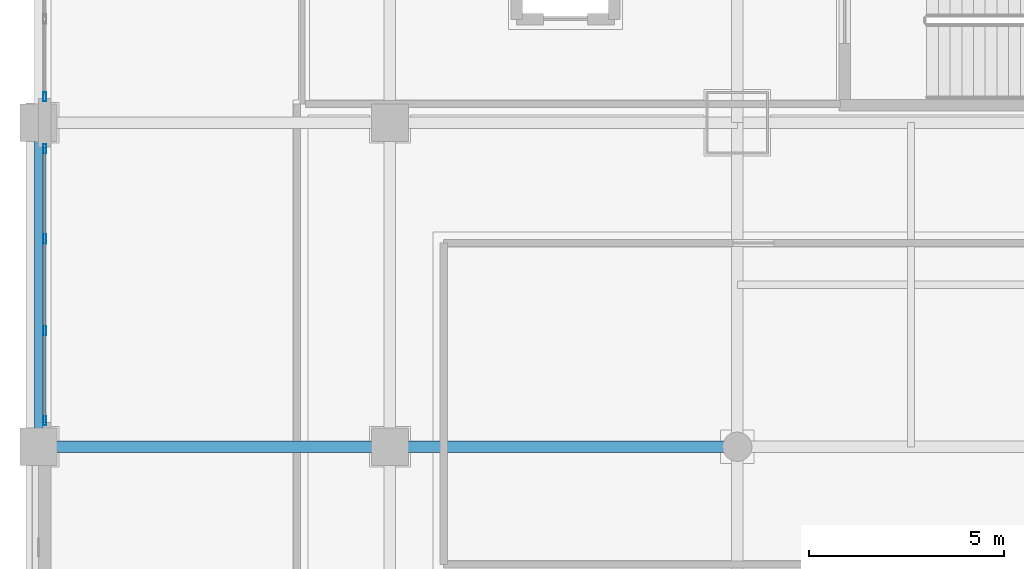
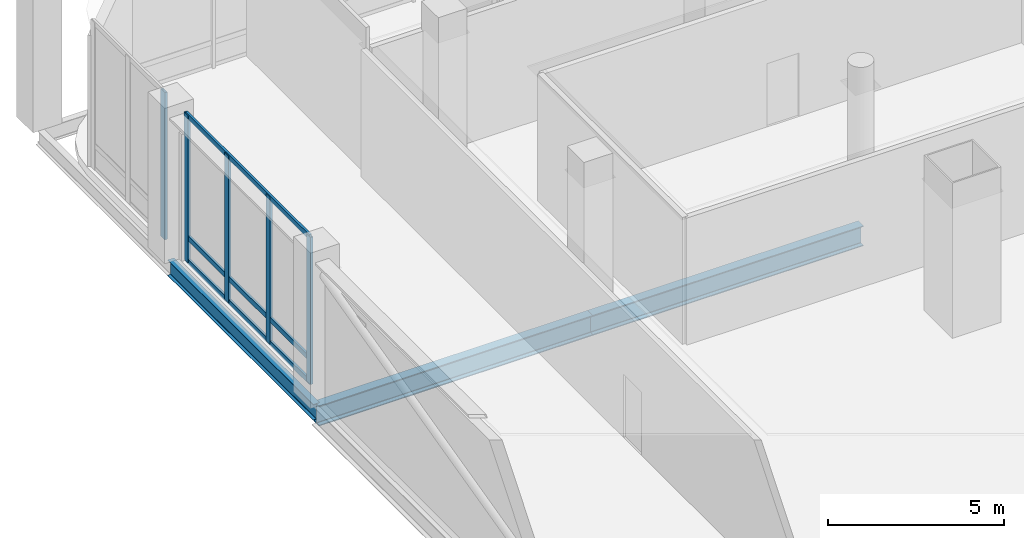
# One storey, part 12 of 43: 8 members, 3 beams, 2 elements without a shape of their own.
"""IFC4 building model written with IfcOpenShell, lengths in metres."""

from ifc_helpers import new_model, si_unit, direction, frame, origin, origin_2d, place, context, subcontext, project, spatial, hollow_rectangle, i_section, extrude, material, material_profile, profile_set, type_object, element, aggregate, save


model = new_model("IFC4")

# Units and contexts
model_context = context("Model", 3, precision=1e-05, world=origin(), true_north=direction((0.0, 1.0)))
body_context = subcontext(model_context, "Body", "Model", "MODEL_VIEW")
ifc_project = project(units=[si_unit("LENGTHUNIT", "METRE"), si_unit("AREAUNIT", "SQUARE_METRE"), si_unit("VOLUMEUNIT", "CUBIC_METRE"), si_unit("PLANEANGLEUNIT", "RADIAN"), si_unit("MASSUNIT", "GRAM", prefix="KILO")], contexts=[model_context])

# Site, building, storey
site_placement = place(None, origin())
site = spatial("IfcSite", under=ifc_project, at=site_placement, CompositionType="ELEMENT")
building_placement = place(site_placement, origin())
building = spatial("IfcBuilding", under=site, at=building_placement, Name="Punatoya Terracotta Tower", CompositionType="ELEMENT")
storey_placement = place(building_placement, frame((0.0, 0.0, 6.0)))
storey = spatial("IfcBuildingStorey", under=building, at=storey_placement, Name="L01", CompositionType="ELEMENT", Elevation=6.0)

# Beams
ifc_material_1 = material(Name="Steel S355", Category="steel")
ifc_material_profile_1 = material_profile(ifc_material_1, i_section(OverallWidth=0.300048828125, OverallDepth=0.699951171875, WebThickness=0.01708984375, FlangeThickness=0.031982421875, FilletRadius=0.01806640625, at=origin_2d()))
ifc_profile_set_1 = profile_set([ifc_material_profile_1], Name="Steel S355")
beam_type_1 = type_object("IfcBeamType", Name="BM-PRI-700", PredefinedType="BEAM", material=ifc_profile_set_1)
beam_1_placement = place(storey_placement, frame((-37.0, 9.199951171875, -0.6298828125), z_axis=(1.0, 0.0, 0.0), x_axis=(0.0, 1.0, 0.0)))
element("IfcBeam", 1, at=beam_1_placement, inside=storey, type_object=beam_type_1, Name="BM-L01-FW1", PredefinedType="BEAM", context=body_context, shape_type="SweptSolid", body=[
    extrude(i_section(OverallWidth=0.300048828125, OverallDepth=0.699951171875, WebThickness=0.01708984375, FlangeThickness=0.031982421875, FilletRadius=0.01806640625, at=origin_2d()), origin(), (0.0, 0.0, 1.0), 9.0),
])
beam_2_placement = place(storey_placement, frame((-28.0, 9.199951171875, -0.6298828125), z_axis=(1.0, 0.0, 0.0), x_axis=(0.0, 1.0, 0.0)))
element("IfcBeam", 2, at=beam_2_placement, inside=storey, type_object=beam_type_1, Name="BM-L01-FW2", PredefinedType="BEAM", context=body_context, shape_type="SweptSolid", body=[
    extrude(i_section(OverallWidth=0.300048828125, OverallDepth=0.699951171875, WebThickness=0.01708984375, FlangeThickness=0.031982421875, FilletRadius=0.01806640625, at=origin_2d()), origin(), (0.0, 0.0, 1.0), 8.89990234375),
])
ifc_material_profile_2 = material_profile(ifc_material_1, i_section(OverallWidth=0.2099609375, OverallDepth=0.550048828125, WebThickness=0.010986328125, FlangeThickness=0.01708984375, FilletRadius=0.01806640625, at=origin_2d()))
ifc_profile_set_2 = profile_set([ifc_material_profile_2], Name="Steel S355")
beam_type_2 = type_object("IfcBeamType", Name="BM-SPN-550", PredefinedType="SPANDREL", material=ifc_profile_set_2)
beam_3_placement = place(storey_placement, frame((-37.0, 9.199951171875, -0.554931640625), z_axis=(0.0, 1.0, 0.0), x_axis=(-1.0, 0.0, 0.0)))
element("IfcBeam", 3, at=beam_3_placement, inside=storey, type_object=beam_type_2, Name="BM-L01-X37W-9", PredefinedType="SPANDREL", context=body_context, shape_type="SweptSolid", body=[
    extrude(i_section(OverallWidth=0.2099609375, OverallDepth=0.550048828125, WebThickness=0.010986328125, FlangeThickness=0.01708984375, FilletRadius=0.01806640625, at=origin_2d()), origin(), (0.0, 0.0, 1.0), 8.300048828125),
])

# Curtain wall, members
ifc_material_2 = material(Name="Aluminium 6063-T6 + Double Low-E Glass", Category="aluminium")
curtain_wall_type = type_object("IfcCurtainWallType", Name="CW-POD", PredefinedType="NOTDEFINED", material=ifc_material_2)
curtain_wall_1_placement = place(storey_placement, origin())
curtain_wall_1 = element("IfcCurtainWall", 4, at=curtain_wall_1_placement, inside=storey, type_object=curtain_wall_type, Name="L01 Curtain Wall CWP-L01-W3", PredefinedType="NOTDEFINED")
ifc_material_3 = material(Name="Aluminium 6063-T6", Category="aluminium")
ifc_material_profile_3 = material_profile(ifc_material_3, hollow_rectangle(XDim=0.0849609375, YDim=0.239990234375, WallThickness=0.0048828125, at=origin_2d()))
ifc_profile_set_3 = profile_set([ifc_material_profile_3], Name="Aluminium 6063-T6")
member_type_1 = type_object("IfcMemberType", Name="CW-MUL-POD", PredefinedType="MULLION", material=ifc_profile_set_3)
member_1_placement = place(storey_placement, frame((-36.840087890625, 9.864990234375, 0.0), z_axis=(0.0, 0.0, 1.0), x_axis=(1.0, 0.0, 0.0)))
member_1 = element("IfcMember", 5, at=member_1_placement, type_object=member_type_1, Name="CWP-L01-W3 Mullion 00", PredefinedType="MULLION", context=body_context, shape_type="SweptSolid", body=[
    extrude(hollow_rectangle(XDim=0.0849609375, YDim=0.239990234375, WallThickness=0.0048828125, at=origin_2d()), origin(), (0.0, 0.0, 1.0), 5.1201171875),
])
member_2_placement = place(storey_placement, frame((-36.840087890625, 12.17333984375, 0.0), z_axis=(0.0, 0.0, 1.0), x_axis=(1.0, 0.0, 0.0)))
member_2 = element("IfcMember", 6, at=member_2_placement, type_object=member_type_1, Name="CWP-L01-W3 Mullion 01", PredefinedType="MULLION", context=body_context, shape_type="SweptSolid", body=[
    extrude(hollow_rectangle(XDim=0.0849609375, YDim=0.239990234375, WallThickness=0.0048828125, at=origin_2d()), origin(), (0.0, 0.0, 1.0), 5.1201171875),
])
member_3_placement = place(storey_placement, frame((-36.840087890625, 14.526611328125, 0.0), z_axis=(0.0, 0.0, 1.0), x_axis=(1.0, 0.0, 0.0)))
member_3 = element("IfcMember", 7, at=member_3_placement, type_object=member_type_1, Name="CWP-L01-W3 Mullion 02", PredefinedType="MULLION", context=body_context, shape_type="SweptSolid", body=[
    extrude(hollow_rectangle(XDim=0.0849609375, YDim=0.239990234375, WallThickness=0.0048828125, at=origin_2d()), origin(), (0.0, 0.0, 1.0), 5.1201171875),
])
member_4_placement = place(storey_placement, frame((-36.840087890625, 16.8349609375, 0.0), z_axis=(0.0, 0.0, 1.0), x_axis=(1.0, 0.0, 0.0)))
member_4 = element("IfcMember", 8, at=member_4_placement, type_object=member_type_1, Name="CWP-L01-W3 Mullion 03", PredefinedType="MULLION", context=body_context, shape_type="SweptSolid", body=[
    extrude(hollow_rectangle(XDim=0.0849609375, YDim=0.239990234375, WallThickness=0.0048828125, at=origin_2d()), origin(), (0.0, 0.0, 1.0), 5.1201171875),
])

# Curtain wall, member
curtain_wall_2_placement = place(storey_placement, origin())
curtain_wall_2 = element("IfcCurtainWall", 9, at=curtain_wall_2_placement, inside=storey, type_object=curtain_wall_type, Name="L01 Curtain Wall CWP-L01-W4", PredefinedType="NOTDEFINED")
member_5_placement = place(storey_placement, frame((-36.840087890625, 18.1650390625, 0.0), z_axis=(0.0, 0.0, 1.0), x_axis=(1.0, 0.0, 0.0)))
member_5 = element("IfcMember", 10, at=member_5_placement, type_object=member_type_1, Name="CWP-L01-W4 Mullion 00", PredefinedType="MULLION", context=body_context, shape_type="SweptSolid", body=[
    extrude(hollow_rectangle(XDim=0.0849609375, YDim=0.239990234375, WallThickness=0.0048828125, at=origin_2d()), origin(), (0.0, 0.0, 1.0), 5.1201171875),
])
aggregate(curtain_wall_2, [member_5])

# Member
ifc_material_profile_4 = material_profile(ifc_material_3, hollow_rectangle(XDim=0.074951171875, YDim=0.175048828125, WallThickness=0.00439453125, at=origin_2d()))
ifc_profile_set_4 = profile_set([ifc_material_profile_4], Name="Aluminium 6063-T6")
member_type_2 = type_object("IfcMemberType", Name="CW-TRN-POD", PredefinedType="USERDEFINED", material=ifc_profile_set_4)
member_6_placement = place(storey_placement, frame((-36.840087890625, 9.820068359375, 0.0400390625), z_axis=(0.0, 1.0, 0.0), x_axis=(-1.0, 0.0, 0.0)))
member_6 = element("IfcMember", 11, at=member_6_placement, type_object=member_type_2, Name="CWP-L01-W3 Transom 1", ObjectType="TRANSOM", PredefinedType="USERDEFINED", context=body_context, shape_type="SweptSolid", body=[
    extrude(hollow_rectangle(XDim=0.074951171875, YDim=0.175048828125, WallThickness=0.00439453125, at=origin_2d()), origin(), (0.0, 0.0, 1.0), 7.059814453125),
])

member_7_placement = place(storey_placement, frame((-36.840087890625, 9.820068359375, 0.85009765625), z_axis=(0.0, 1.0, 0.0), x_axis=(-1.0, 0.0, 0.0)))
member_7 = element("IfcMember", 12, at=member_7_placement, type_object=member_type_2, Name="CWP-L01-W3 Transom 2", ObjectType="TRANSOM", PredefinedType="USERDEFINED", context=body_context, shape_type="SweptSolid", body=[
    extrude(hollow_rectangle(XDim=0.074951171875, YDim=0.175048828125, WallThickness=0.00439453125, at=origin_2d()), origin(), (0.0, 0.0, 1.0), 7.059814453125),
])

member_8_placement = place(storey_placement, frame((-36.840087890625, 9.820068359375, 5.080078125), z_axis=(0.0, 1.0, 0.0), x_axis=(-1.0, 0.0, 0.0)))
member_8 = element("IfcMember", 13, at=member_8_placement, type_object=member_type_2, Name="CWP-L01-W3 Transom 3", ObjectType="TRANSOM", PredefinedType="USERDEFINED", context=body_context, shape_type="SweptSolid", body=[
    extrude(hollow_rectangle(XDim=0.074951171875, YDim=0.175048828125, WallThickness=0.00439453125, at=origin_2d()), origin(), (0.0, 0.0, 1.0), 7.059814453125),
])

aggregate(curtain_wall_1, [member_1, member_2, member_3, member_4, member_6, member_7, member_8])

save(model, "model.ifc")
